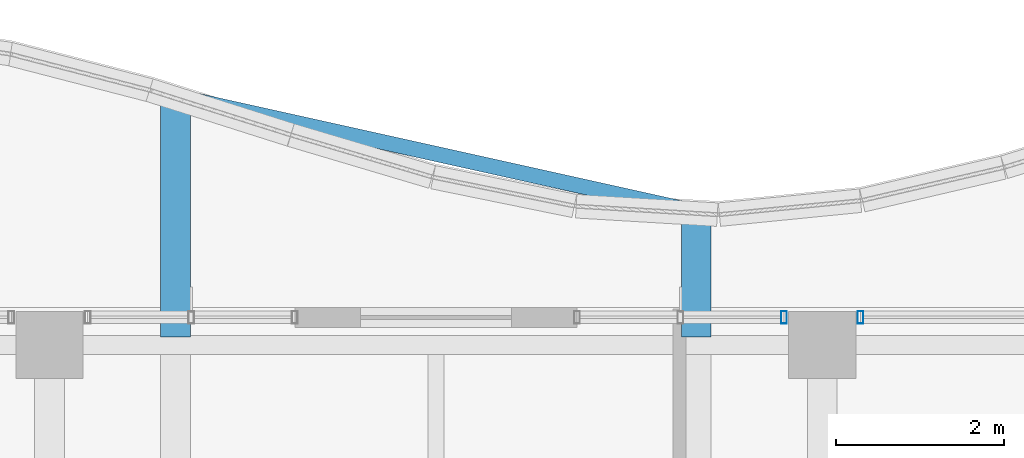
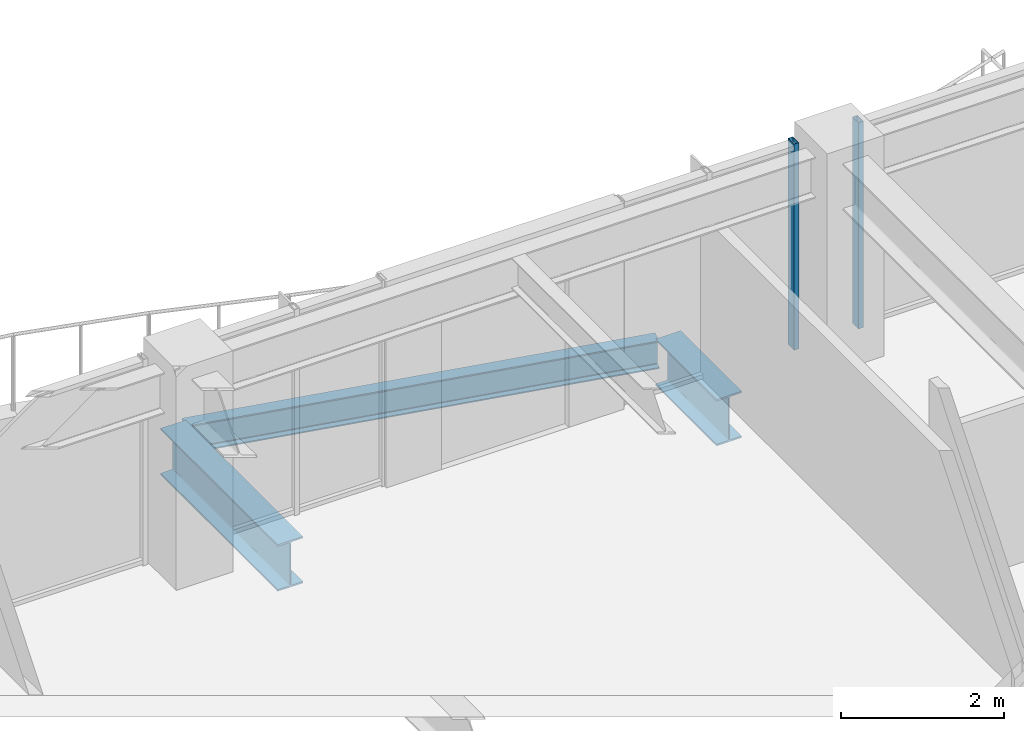
# One storey, part 18 of 36: 3 beams, 2 members, 2 elements without a shape of their own.
"""IFC4 building model written with IfcOpenShell, lengths in metres."""

from ifc_helpers import new_model, si_unit, direction, frame, origin, origin_2d, place, context, subcontext, project, spatial, hollow_rectangle, i_section, extrude, material, material_profile, profile_set, type_object, element, aggregate, save


model = new_model("IFC4")

# Units and contexts
model_context = context("Model", 3, precision=1e-05, world=origin(), true_north=direction((0.0, 1.0)))
body_context = subcontext(model_context, "Body", "Model", "MODEL_VIEW")
ifc_project = project(units=[si_unit("LENGTHUNIT", "METRE"), si_unit("AREAUNIT", "SQUARE_METRE"), si_unit("VOLUMEUNIT", "CUBIC_METRE"), si_unit("PLANEANGLEUNIT", "RADIAN"), si_unit("MASSUNIT", "GRAM", prefix="KILO")], contexts=[model_context])

# Site, building, storey
site_placement = place(None, origin())
site = spatial("IfcSite", under=ifc_project, at=site_placement, CompositionType="ELEMENT")
building_placement = place(site_placement, origin())
building = spatial("IfcBuilding", under=site, at=building_placement, Name="Kolvaren Belvedere", CompositionType="ELEMENT")
storey_placement = place(building_placement, frame((0.0, 0.0, 226.199951171875)))
storey = spatial("IfcBuildingStorey", under=building, at=storey_placement, Name="L66", CompositionType="ELEMENT", Elevation=226.199951171875)

# Beams
ifc_material_1 = material(Name="Structural steel ASTM A992 Grade 50", Category="steel")
ifc_material_profile_1 = material_profile(ifc_material_1, i_section(OverallWidth=0.35498046875, OverallDepth=0.696044921875, WebThickness=0.015380859375, FlangeThickness=0.02490234375, FilletRadius=0.02197265625, at=origin_2d()), Name="W27X146")
ifc_profile_set_1 = profile_set([ifc_material_profile_1], Name="Structural steel ASTM A992 Grade 50")
beam_type_1 = type_object("IfcBeamType", Name="BM-CANT-BAL", PredefinedType="BEAM", material=ifc_profile_set_1)
beam_1_placement = place(storey_placement, frame((-3.10009765625, 20.044921875, -0.56787109375), z_axis=(0.0, 1.0, 0.0), x_axis=(-1.0, 0.0, 0.0)))
element("IfcBeam", 1, at=beam_1_placement, inside=storey, type_object=beam_type_1, Name="L66 Planted Balcony Cantilever BAL-N-1", PredefinedType="BEAM", context=body_context, shape_type="SweptSolid", body=[
    extrude(i_section(OverallWidth=0.35498046875, OverallDepth=0.696044921875, WebThickness=0.015380859375, FlangeThickness=0.02490234375, FilletRadius=0.02197265625, at=origin_2d()), origin(), (0.0, 0.0, 1.0), 2.8701171875),
])
beam_2_placement = place(storey_placement, frame((3.10009765625, 20.044921875, -0.56787109375), z_axis=(0.0, 1.0, 0.0), x_axis=(-1.0, 0.0, 0.0)))
element("IfcBeam", 2, at=beam_2_placement, inside=storey, type_object=beam_type_1, Name="L66 Planted Balcony Cantilever BAL-N-2", PredefinedType="BEAM", context=body_context, shape_type="SweptSolid", body=[
    extrude(i_section(OverallWidth=0.35498046875, OverallDepth=0.696044921875, WebThickness=0.015380859375, FlangeThickness=0.02490234375, FilletRadius=0.02197265625, at=origin_2d()), origin(), (0.0, 0.0, 1.0), 1.49267578125),
])
ifc_material_2 = material(Name="Structural steel ASTM A992 Grade 50", Category="steel")
ifc_material_profile_2 = material_profile(ifc_material_2, i_section(OverallWidth=0.180908203125, OverallDepth=0.4169921875, WebThickness=0.010986328125, FlangeThickness=0.018310546875, FilletRadius=0.013916015625, at=origin_2d()), Name="W16X57")
ifc_profile_set_2 = profile_set([ifc_material_profile_2], Name="Structural steel ASTM A992 Grade 50")
beam_type_2 = type_object("IfcBeamType", Name="BM-EDGE-W16X57", PredefinedType="BEAM", material=ifc_profile_set_2)
beam_3_placement = place(storey_placement, frame((-2.96337890625, 22.884765625, -0.428466796875), z_axis=(0.97620125078, -0.216866590272, 0.0), x_axis=(0.216866590272, 0.97620125078, 0.0)))
element("IfcBeam", 3, at=beam_3_placement, inside=storey, type_object=beam_type_2, Name="L66 Balcony Tip Header Beam BAL-N", PredefinedType="BEAM", context=body_context, shape_type="SweptSolid", body=[
    extrude(i_section(OverallWidth=0.180908203125, OverallDepth=0.4169921875, WebThickness=0.010986328125, FlangeThickness=0.018310546875, FilletRadius=0.013916015625, at=origin_2d()), origin(), (0.0, 0.0, 1.0), 6.0712890625),
])

# Curtain wall, member
ifc_material_3 = material(Name="Anodised pale-metal aluminium AA 6063-T6", Category="aluminium")
curtain_wall_type = type_object("IfcCurtainWallType", Name="CW-Z5-HIGH", PredefinedType="NOTDEFINED", material=ifc_material_3)
curtain_wall_1_placement = place(storey_placement, origin())
curtain_wall_1 = element("IfcCurtainWall", 4, at=curtain_wall_1_placement, inside=storey, type_object=curtain_wall_type, Name="L66 Unitised Curtain Wall FCW-L66-N2-B1", PredefinedType="NOTDEFINED")
ifc_material_4 = material(Name="Anodised pale-metal aluminium AA 6063-T6", Category="aluminium")
ifc_material_profile_3 = material_profile(ifc_material_4, hollow_rectangle(XDim=0.070068359375, YDim=0.14990234375, WallThickness=0.004150390625, at=origin_2d()), Name="ALU-MUL-150X70")
ifc_profile_set_3 = profile_set([ifc_material_profile_3], Name="Anodised pale-metal aluminium AA 6063-T6")
member_type = type_object("IfcMemberType", Name="CW-MUL-150", PredefinedType="MULLION", material=ifc_profile_set_3)
member_1_placement = place(storey_placement, frame((4.14501953125, 20.280029296875, 0.0), z_axis=(0.0, 0.0, 1.0), x_axis=(1.0, 0.0, 0.0)))
member_1 = element("IfcMember", 5, at=member_1_placement, type_object=member_type, Name="FCW-L66-N2-B1 Unitised Mullion 3", PredefinedType="MULLION", context=body_context, shape_type="SweptSolid", body=[
    extrude(hollow_rectangle(XDim=0.070068359375, YDim=0.14990234375, WallThickness=0.004150390625, at=origin_2d()), origin(), (0.0, 0.0, 1.0), 3.080078125),
])
aggregate(curtain_wall_1, [member_1])

curtain_wall_2_placement = place(storey_placement, origin())
curtain_wall_2 = element("IfcCurtainWall", 6, at=curtain_wall_2_placement, inside=storey, type_object=curtain_wall_type, Name="L66 Unitised Curtain Wall FCW-L66-N2-B2", PredefinedType="NOTDEFINED")
member_2_placement = place(storey_placement, frame((5.054931640625, 20.280029296875, 0.0), z_axis=(0.0, 0.0, 1.0), x_axis=(1.0, 0.0, 0.0)))
member_2 = element("IfcMember", 7, at=member_2_placement, type_object=member_type, Name="FCW-L66-N2-B2 Unitised Mullion 1", PredefinedType="MULLION", context=body_context, shape_type="SweptSolid", body=[
    extrude(hollow_rectangle(XDim=0.070068359375, YDim=0.14990234375, WallThickness=0.004150390625, at=origin_2d()), origin(), (0.0, 0.0, 1.0), 3.080078125),
])
aggregate(curtain_wall_2, [member_2])

save(model, "model.ifc")
